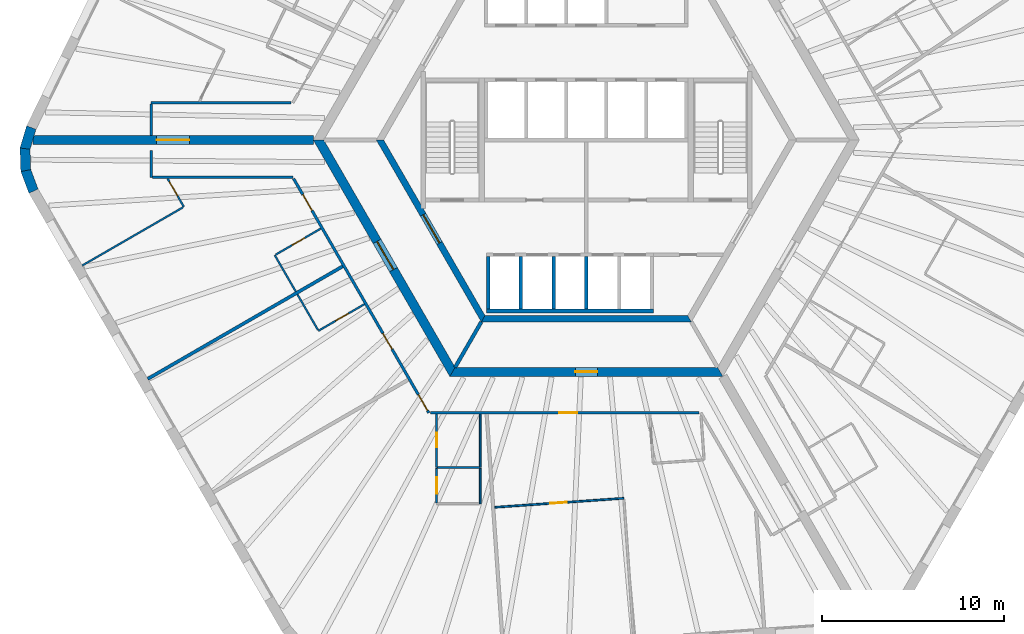
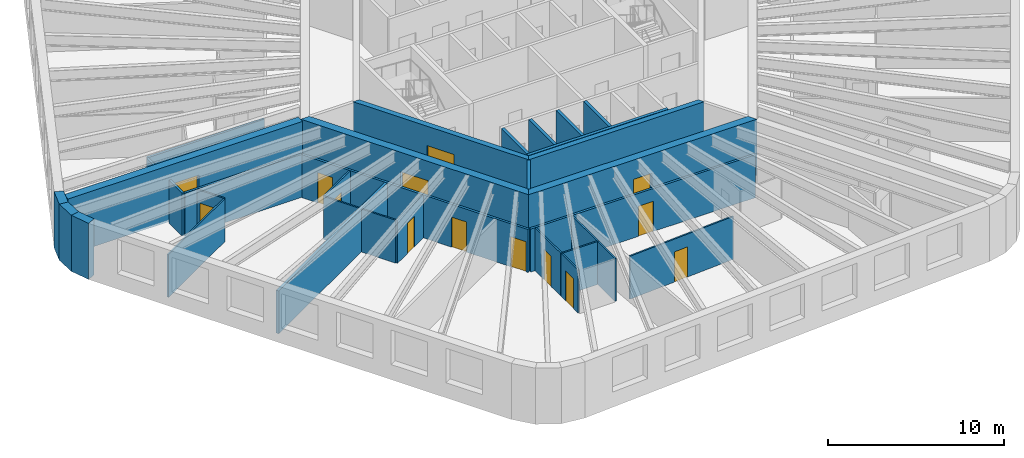
# One storey, part 3 of 10: 33 walls, 14 doors, 14 openings.
"""IFC4 building model written with IfcOpenShell, lengths in metres."""

from ifc_helpers import new_model, si_unit, direction, frame, frame_2d, origin, place, context, subcontext, project, spatial, polyline, rectangle, outline, extrude, material, layer, layer_set, type_object, element, fill, save


model = new_model("IFC4")

# Units and contexts
model_context = context("Model", 3, precision=1e-05, world=origin(), true_north=direction((0.0, 1.0)))
body_context = subcontext(model_context, "Body", "Model", "MODEL_VIEW")
ifc_project = project(units=[si_unit("LENGTHUNIT", "METRE"), si_unit("AREAUNIT", "SQUARE_METRE"), si_unit("VOLUMEUNIT", "CUBIC_METRE"), si_unit("PLANEANGLEUNIT", "RADIAN"), si_unit("MASSUNIT", "GRAM", prefix="KILO")], contexts=[model_context])

# Site, building, storey
site_placement = place(None, origin())
site = spatial("IfcSite", under=ifc_project, at=site_placement, CompositionType="ELEMENT")
building_placement = place(site_placement, origin())
building = spatial("IfcBuilding", under=site, at=building_placement, Name="Tarnside Tower", CompositionType="ELEMENT")
storey_placement = place(building_placement, frame((0.0, 0.0, 191.699951171875)))
storey = spatial("IfcBuildingStorey", under=building, at=storey_placement, Name="L45", CompositionType="ELEMENT", Elevation=191.699951171875)

# Wall
ifc_material_1 = material(Name="Gypsum board partition on steel studs", Category="steel")
ifc_layer_1 = layer(ifc_material_1, 0.10009765625)
ifc_layer_set_1 = layer_set([ifc_layer_1], Name="Bathroom wall 100")
wall_type_1 = type_object("IfcWallType", Name="Bathroom wall 100", PredefinedType="PARTITIONING", material=ifc_layer_set_1)
wall_1_placement = place(storey_placement, frame((-15.974609375, -8.331298828125, 0.0), z_axis=(0.0, 0.0, 1.0), x_axis=(-0.500015210774, 0.866016621662, 0.0)))
element("IfcWall", 1, at=wall_1_placement, inside=storey, type_object=wall_type_1, Name="Bathroom wall 14077", PredefinedType="PARTITIONING", context=body_context, shape_type="SweptSolid", body=[
    extrude(rectangle(XDim=2.31005859375, YDim=0.10009765625, at=frame_2d((1.155029296875, 0.0))), origin(), (0.0, 0.0, 1.0), 2.98779296875),
])

# Wall, opening, door
wall_2_placement = place(storey_placement, frame((-17.086181640625, -6.305908203125, 0.0), z_axis=(0.0, 0.0, 1.0), x_axis=(0.866018712932, 0.500011588718, 0.0)))
wall_2 = element("IfcWall", 2, at=wall_2_placement, inside=storey, type_object=wall_type_1, Name="Bathroom wall 14078", PredefinedType="PARTITIONING", context=body_context, shape_type="SweptSolid", body=[
    extrude(rectangle(XDim=2.875, YDim=0.10009765625, at=frame_2d((1.4375, 0.0))), origin(), (0.0, 0.0, 1.0), 2.98779296875),
])
opening_1_placement = place(wall_2_placement, frame((1.050048828125, 0.0, 0.0)))
opening_1 = element("IfcOpeningElement", 3, at=opening_1_placement, cuts=wall_2, Name="Opening D-B1", PredefinedType="OPENING", context=body_context, shape_type="SweptSolid", body=[
    extrude(rectangle(XDim=0.800048828125, YDim=2.10009765625, at=frame_2d((0.39990234375, 1.050048828125))), frame((0.0, 0.06005859375, 0.0), z_axis=(0.0, -1.0, 0.0), x_axis=(1.0, 0.0, 0.0)), (0.0, 0.0, 1.0), 0.1201171875),
])
ifc_material_2 = material(Name="Timber door leaf", Category="wood")
door_type_1 = type_object("IfcDoorType", Name="Bathroom door 800", OperationType="NOTDEFINED", PredefinedType="DOOR", material=ifc_material_2)
door_1_placement = place(opening_1_placement, origin())
door_1 = element("IfcDoor", 4, at=door_1_placement, inside=storey, type_object=door_type_1, Name="Bathroom door 14014", OperationType="SINGLE_SWING_RIGHT", OverallHeight=2.10009765625, OverallWidth=0.800048828125, PredefinedType="DOOR", context=body_context, shape_type="SweptSolid", body=[
    extrude(rectangle(XDim=0.800048828125, YDim=2.10009765625, at=frame_2d((0.39990234375, 1.050048828125))), frame((0.0, 0.02490234375, 0.0), z_axis=(0.0, -1.0, 0.0), x_axis=(1.0, 0.0, 0.0)), (0.0, 0.0, 1.0), 0.050048828125),
])
fill(opening_1, door_1)

wall_3_placement = place(storey_placement, frame((-12.1962890625, -9.025146484375, 0.0), z_axis=(0.0, 0.0, 1.0), x_axis=(-0.86601045545, -0.500025890382, 0.0)))
wall_3 = element("IfcWall", 5, at=wall_3_placement, inside=storey, type_object=wall_type_1, Name="Bathroom wall 14083", PredefinedType="PARTITIONING", context=body_context, shape_type="SweptSolid", body=[
    extrude(rectangle(XDim=2.925048828125, YDim=0.10009765625, at=frame_2d((1.46240234375, 0.0))), origin(), (0.0, 0.0, 1.0), 2.98779296875),
])
opening_2_placement = place(wall_3_placement, frame((1.02490234375, 0.0, 0.0)))
opening_2 = element("IfcOpeningElement", 6, at=opening_2_placement, cuts=wall_3, Name="Opening D-B1", PredefinedType="OPENING", context=body_context, shape_type="SweptSolid", body=[
    extrude(rectangle(XDim=0.800048828125, YDim=2.10009765625, at=frame_2d((0.39990234375, 1.050048828125))), frame((0.0, 0.06005859375, 0.0), z_axis=(0.0, -1.0, 0.0), x_axis=(1.0, 0.0, 0.0)), (0.0, 0.0, 1.0), 0.1201171875),
])
door_2_placement = place(opening_2_placement, origin())
door_2 = element("IfcDoor", 7, at=door_2_placement, inside=storey, type_object=door_type_1, Name="Bathroom door 14017", OperationType="SINGLE_SWING_RIGHT", OverallHeight=2.10009765625, OverallWidth=0.800048828125, PredefinedType="DOOR", context=body_context, shape_type="SweptSolid", body=[
    extrude(rectangle(XDim=0.800048828125, YDim=2.10009765625, at=frame_2d((0.39990234375, 1.050048828125))), frame((0.0, 0.02490234375, 0.0), z_axis=(0.0, -1.0, 0.0), x_axis=(1.0, 0.0, 0.0)), (0.0, 0.0, 1.0), 0.050048828125),
])
fill(opening_2, door_2)

# Wall
wall_4_placement = place(storey_placement, frame((-14.754638671875, -10.4443359375, 0.0), z_axis=(0.0, 0.0, 1.0), x_axis=(-0.4999967785, 0.866027263711, 0.0)))
element("IfcWall", 8, at=wall_4_placement, inside=storey, type_object=wall_type_1, Name="Bathroom wall 14084", PredefinedType="PARTITIONING", context=body_context, shape_type="SweptSolid", body=[
    extrude(rectangle(XDim=2.259765625, YDim=0.10009765625, at=frame_2d((1.1298828125, 0.0))), origin(), (0.0, 0.0, 1.0), 2.98779296875),
])

# Wall, opening, door
wall_5_placement = place(storey_placement, frame((-8.23486328125, -18.0, 0.0), z_axis=(0.0, 0.0, 1.0), x_axis=(0.0, 1.0, 0.0)))
wall_5 = element("IfcWall", 9, at=wall_5_placement, inside=storey, type_object=wall_type_1, Name="Bathroom wall 14086", PredefinedType="PARTITIONING", context=body_context, shape_type="SweptSolid", body=[
    extrude(rectangle(XDim=2.925048828125, YDim=0.10009765625, at=frame_2d((1.46240234375, 0.0))), origin(), (0.0, 0.0, 1.0), 2.98779296875),
])
opening_3_placement = place(wall_5_placement, frame((1.10009765625, 0.0, 0.0)))
opening_3 = element("IfcOpeningElement", 10, at=opening_3_placement, cuts=wall_5, Name="Opening D-B1", PredefinedType="OPENING", context=body_context, shape_type="SweptSolid", body=[
    extrude(rectangle(XDim=0.800048828125, YDim=2.10009765625, at=frame_2d((0.39990234375, 1.050048828125))), frame((0.0, 0.06005859375, 0.0), z_axis=(0.0, -1.0, 0.0), x_axis=(1.0, 0.0, 0.0)), (0.0, 0.0, 1.0), 0.1201171875),
])
door_3_placement = place(opening_3_placement, origin())
door_3 = element("IfcDoor", 11, at=door_3_placement, inside=storey, type_object=door_type_1, Name="Bathroom door 14019", OperationType="SINGLE_SWING_LEFT", OverallHeight=2.10009765625, OverallWidth=0.800048828125, PredefinedType="DOOR", context=body_context, shape_type="SweptSolid", body=[
    extrude(rectangle(XDim=0.800048828125, YDim=2.10009765625, at=frame_2d((0.39990234375, 1.050048828125))), frame((0.0, 0.02490234375, 0.0), z_axis=(0.0, -1.0, 0.0), x_axis=(1.0, 0.0, 0.0)), (0.0, 0.0, 1.0), 0.050048828125),
])
fill(opening_3, door_3)

# Walls
wall_6_placement = place(storey_placement, frame((-5.8349609375, -15.074951171875, 0.0), z_axis=(0.0, 0.0, 1.0), x_axis=(0.0, -1.0, 0.0)))
element("IfcWall", 12, at=wall_6_placement, inside=storey, type_object=wall_type_1, Name="Bathroom wall 14087", PredefinedType="PARTITIONING", context=body_context, shape_type="SweptSolid", body=[
    extrude(rectangle(XDim=2.925048828125, YDim=0.10009765625, at=frame_2d((1.46240234375, 0.0))), origin(), (0.0, 0.0, 1.0), 2.98779296875),
])
wall_7_placement = place(storey_placement, frame((-8.18505859375, -18.0, 0.0), z_axis=(0.0, 0.0, 1.0), x_axis=(1.0, 0.0, 0.0)))
element("IfcWall", 13, at=wall_7_placement, inside=storey, type_object=wall_type_1, Name="Bathroom wall 14093", PredefinedType="PARTITIONING", context=body_context, shape_type="SweptSolid", body=[
    extrude(rectangle(XDim=2.300048828125, YDim=0.10009765625, at=frame_2d((1.14990234375, 0.0))), origin(), (0.0, 0.0, 1.0), 2.98779296875),
])

# Wall, opening, door
ifc_material_3 = material(Name="Concrete C50/60", Category="concrete")
ifc_layer_2 = layer(ifc_material_3, 0.35009765625)
ifc_layer_set_2 = layer_set([ifc_layer_2], Name="Core block wall 350 C50/60")
wall_type_2 = type_object("IfcWallType", Name="Core block wall 350 C50/60", PredefinedType="SHEAR", material=ifc_layer_set_2)
wall_8_placement = place(storey_placement, frame((-11.344970703125, 0.0, -0.14990234375), z_axis=(0.0, 0.0, 1.0), x_axis=(0.499995046907, -0.866028263435, 0.0)))
wall_8 = element("IfcWall", 14, at=wall_8_placement, inside=storey, type_object=wall_type_2, Name="L45 core block wall face 3", PredefinedType="SHEAR", context=body_context, shape_type="SweptSolid", body=[
    extrude(outline(polyline([(-0.10107421875, -0.175048828125), (11.44580078125, -0.175048828125), (11.24365234375, 0.175048828125), (0.10107421875, 0.175048828125), (-0.10107421875, -0.175048828125)])), origin(), (0.0, 0.0, 1.0), 3.89990234375),
])
opening_4_placement = place(wall_8_placement, frame((4.74365234375, 0.0, 0.14990234375)))
opening_4 = element("IfcOpeningElement", 15, at=opening_4_placement, cuts=wall_8, Name="Opening CD-FFL", PredefinedType="OPENING", context=body_context, shape_type="SweptSolid", body=[
    extrude(rectangle(XDim=1.800048828125, YDim=2.39990234375, at=frame_2d((0.89990234375, 1.199951171875))), frame((0.0, 0.18505859375, 0.0), z_axis=(0.0, -1.0, 0.0), x_axis=(1.0, 0.0, 0.0)), (0.0, 0.0, 1.0), 0.3701171875),
])
ifc_material_4 = material(Name="Steel fire door", Category="steel")
door_type_2 = type_object("IfcDoorType", Name="Firefighting lobby double door FD60S 1800x2400", OperationType="NOTDEFINED", PredefinedType="DOOR", material=ifc_material_4)
door_4_placement = place(opening_4_placement, origin())
door_4 = element("IfcDoor", 16, at=door_4_placement, inside=storey, type_object=door_type_2, Name="L45 lobby block door P3", OperationType="DOUBLE_DOOR_SINGLE_SWING", OverallHeight=2.39990234375, OverallWidth=1.800048828125, PredefinedType="DOOR", context=body_context, shape_type="SweptSolid", body=[
    extrude(rectangle(XDim=1.800048828125, YDim=2.39990234375, at=frame_2d((0.89990234375, 1.199951171875))), frame((0.0, 0.02490234375, 0.0), z_axis=(0.0, -1.0, 0.0), x_axis=(1.0, 0.0, 0.0)), (0.0, 0.0, 1.0), 0.050048828125),
])
fill(opening_4, door_4)

# Wall
wall_9_placement = place(storey_placement, frame((-5.672607421875, -9.824951171875, -0.14990234375), z_axis=(0.0, 0.0, 1.0), x_axis=(1.0, 0.0, 0.0)))
element("IfcWall", 17, at=wall_9_placement, inside=storey, type_object=wall_type_2, Name="L45 core block wall face 4", PredefinedType="SHEAR", context=body_context, shape_type="SweptSolid", body=[
    extrude(outline(polyline([(-0.10107421875, -0.175048828125), (11.4462890625, -0.175048828125), (11.244140625, 0.175048828125), (0.10107421875, 0.175048828125), (-0.10107421875, -0.175048828125)])), origin(), (0.0, 0.0, 1.0), 3.89990234375),
])

# Wall, opening, door
ifc_material_5 = material(Name="Concrete C70/85", Category="concrete")
ifc_layer_3 = layer(ifc_material_5, 0.5)
ifc_layer_set_3 = layer_set([ifc_layer_3], Name="Core wall Z2 500 C70/85")
wall_type_3 = type_object("IfcWallType", Name="Core wall Z2 500 C70/85", PredefinedType="SHEAR", material=ifc_layer_set_3)
wall_10_placement = place(storey_placement, frame((-14.722412109375, 0.0, -0.14990234375), z_axis=(0.0, 0.0, 1.0), x_axis=(0.50000571537, -0.866022103989, 0.0)))
wall_10 = element("IfcWall", 18, at=wall_10_placement, inside=storey, type_object=wall_type_3, Name="L45 core wall face 3", PredefinedType="SHEAR", context=body_context, shape_type="SweptSolid", body=[
    extrude(outline(polyline([(-0.144287109375, -0.25), (14.86669921875, -0.25), (14.578125, 0.25), (0.144287109375, 0.25), (-0.144287109375, -0.25)])), origin(), (0.0, 0.0, 1.0), 3.89990234375),
])
opening_5_placement = place(wall_10_placement, frame((6.432373046875, 0.0, 0.14990234375)))
opening_5 = element("IfcOpeningElement", 19, at=opening_5_placement, cuts=wall_10, Name="Opening CD-FFL", PredefinedType="OPENING", context=body_context, shape_type="SweptSolid", body=[
    extrude(rectangle(XDim=1.800048828125, YDim=2.39990234375, at=frame_2d((0.89990234375, 1.199951171875))), frame((0.0, 0.260009765625, 0.0), z_axis=(0.0, -1.0, 0.0), x_axis=(1.0, 0.0, 0.0)), (0.0, 0.0, 1.0), 0.52001953125),
])
door_5_placement = place(opening_5_placement, origin())
door_5 = element("IfcDoor", 20, at=door_5_placement, inside=storey, type_object=door_type_2, Name="L45 core door P3", OperationType="DOUBLE_DOOR_SINGLE_SWING", OverallHeight=2.39990234375, OverallWidth=1.800048828125, PredefinedType="DOOR", context=body_context, shape_type="SweptSolid", body=[
    extrude(rectangle(XDim=1.800048828125, YDim=2.39990234375, at=frame_2d((0.89990234375, 1.199951171875))), frame((0.0, 0.02490234375, 0.0), z_axis=(0.0, -1.0, 0.0), x_axis=(1.0, 0.0, 0.0)), (0.0, 0.0, 1.0), 0.050048828125),
])
fill(opening_5, door_5)

wall_11_placement = place(storey_placement, frame((-7.361083984375, -12.75, -0.14990234375), z_axis=(0.0, 0.0, 1.0), x_axis=(1.0, 0.0, 0.0)))
wall_11 = element("IfcWall", 21, at=wall_11_placement, inside=storey, type_object=wall_type_3, Name="L45 core wall face 4", PredefinedType="SHEAR", context=body_context, shape_type="SweptSolid", body=[
    extrude(outline(polyline([(-0.144287109375, -0.25), (14.866455078125, -0.25), (14.577880859375, 0.25), (0.144287109375, 0.25), (-0.144287109375, -0.25)])), origin(), (0.0, 0.0, 1.0), 3.89990234375),
])
opening_6_placement = place(wall_11_placement, frame((6.76123046875, 0.0, 0.14990234375)))
opening_6 = element("IfcOpeningElement", 22, at=opening_6_placement, cuts=wall_11, Name="Opening CD-RSR", PredefinedType="OPENING", context=body_context, shape_type="SweptSolid", body=[
    extrude(rectangle(XDim=1.199951171875, YDim=2.39990234375, at=frame_2d((0.60009765625, 1.199951171875))), frame((0.0, 0.260009765625, 0.0), z_axis=(0.0, -1.0, 0.0), x_axis=(1.0, 0.0, 0.0)), (0.0, 0.0, 1.0), 0.52001953125),
])
door_type_3 = type_object("IfcDoorType", Name="Riser door FD60 1200x2400", OperationType="NOTDEFINED", PredefinedType="DOOR", material=ifc_material_4)
door_6_placement = place(opening_6_placement, origin())
door_6 = element("IfcDoor", 23, at=door_6_placement, inside=storey, type_object=door_type_3, Name="L45 core door S6", OperationType="SINGLE_SWING_LEFT", OverallHeight=2.39990234375, OverallWidth=1.199951171875, PredefinedType="DOOR", context=body_context, shape_type="SweptSolid", body=[
    extrude(rectangle(XDim=1.199951171875, YDim=2.39990234375, at=frame_2d((0.60009765625, 1.199951171875))), frame((0.0, 0.02490234375, 0.0), z_axis=(0.0, -1.0, 0.0), x_axis=(1.0, 0.0, 0.0)), (0.0, 0.0, 1.0), 0.050048828125),
])
fill(opening_6, door_6)

wall_12_placement = place(storey_placement, frame((-15.010986328125, 0.0, -0.14990234375), z_axis=(0.0, 0.0, 1.0), x_axis=(-1.0, 0.0, 0.0)))
wall_12 = element("IfcWall", 24, at=wall_12_placement, inside=storey, type_object=wall_type_3, Name="L45 spine wall 2", PredefinedType="SHEAR", context=body_context, shape_type="SweptSolid", body=[
    extrude(rectangle(XDim=15.423828125, YDim=0.5, at=frame_2d((7.7119140625, 0.0))), origin(), (0.0, 0.0, 1.0), 3.89990234375),
])
opening_7_placement = place(wall_12_placement, frame((6.811767578125, 0.0, 0.14990234375)))
opening_7 = element("IfcOpeningElement", 25, at=opening_7_placement, cuts=wall_12, Name="Opening CD-SPN", PredefinedType="OPENING", context=body_context, shape_type="SweptSolid", body=[
    extrude(rectangle(XDim=1.800048828125, YDim=2.39990234375, at=frame_2d((0.89990234375, 1.199951171875))), frame((0.0, 0.260009765625, 0.0), z_axis=(0.0, -1.0, 0.0), x_axis=(1.0, 0.0, 0.0)), (0.0, 0.0, 1.0), 0.52001953125),
])
door_type_4 = type_object("IfcDoorType", Name="Spine passage double door FD60 1800x2400", OperationType="NOTDEFINED", PredefinedType="DOOR", material=ifc_material_4)
door_7_placement = place(opening_7_placement, origin())
door_7 = element("IfcDoor", 26, at=door_7_placement, inside=storey, type_object=door_type_4, Name="L45 spine passage door 2", OperationType="DOUBLE_DOOR_SINGLE_SWING", OverallHeight=2.39990234375, OverallWidth=1.800048828125, PredefinedType="DOOR", context=body_context, shape_type="SweptSolid", body=[
    extrude(rectangle(XDim=1.800048828125, YDim=2.39990234375, at=frame_2d((0.89990234375, 1.199951171875))), frame((0.0, 0.02490234375, 0.0), z_axis=(0.0, -1.0, 0.0), x_axis=(1.0, 0.0, 0.0)), (0.0, 0.0, 1.0), 0.050048828125),
])
fill(opening_7, door_7)

# Walls
ifc_layer_4 = layer(ifc_material_1, 0.14990234375)
ifc_layer_set_4 = layer_set([ifc_layer_4], Name="Corridor wall 150 EI 60")
wall_type_4 = type_object("IfcWallType", Name="Corridor wall 150 EI 60", PredefinedType="PARTITIONING", material=ifc_layer_set_4)
wall_13_placement = place(storey_placement, frame((-16.2236328125, 2.050048828125, 0.0), z_axis=(0.0, 0.0, 1.0), x_axis=(-1.0, 0.0, 0.0)))
element("IfcWall", 27, at=wall_13_placement, inside=storey, type_object=wall_type_4, Name="Corridor wall 14015", PredefinedType="PARTITIONING", context=body_context, shape_type="SweptSolid", body=[
    extrude(rectangle(XDim=7.69921875, YDim=0.14990234375, at=frame_2d((3.849609375, 0.0))), origin(), (0.0, 0.0, 1.0), 2.98779296875),
])
wall_14_placement = place(storey_placement, frame((-23.9228515625, 1.97509765625, 0.0), z_axis=(0.0, 0.0, 1.0), x_axis=(0.0, -1.0, 0.0)))
element("IfcWall", 28, at=wall_14_placement, inside=storey, type_object=wall_type_4, Name="Corridor wall 14018", PredefinedType="PARTITIONING", context=body_context, shape_type="SweptSolid", body=[
    extrude(rectangle(XDim=1.72509765625, YDim=0.14990234375, at=frame_2d((0.862548828125, 0.0))), origin(), (0.0, 0.0, 1.0), 2.98779296875),
])
wall_15_placement = place(storey_placement, frame((-23.847900390625, -2.050048828125, 0.0), z_axis=(0.0, 0.0, 1.0), x_axis=(1.0, 0.0, 0.0)))
element("IfcWall", 29, at=wall_15_placement, inside=storey, type_object=wall_type_4, Name="Corridor wall 14019", PredefinedType="PARTITIONING", context=body_context, shape_type="SweptSolid", body=[
    extrude(rectangle(XDim=7.7109375, YDim=0.14990234375, at=frame_2d((3.85546875, 0.0))), origin(), (0.0, 0.0, 1.0), 2.98779296875),
])

# Wall, openings, doors
wall_16_placement = place(storey_placement, frame((-16.09375, -2.125, 0.0), z_axis=(0.0, 0.0, 1.0), x_axis=(0.500010545262, -0.866019315389, 0.0)))
wall_16 = element("IfcWall", 30, at=wall_16_placement, inside=storey, type_object=wall_type_4, Name="Corridor wall 14020", PredefinedType="PARTITIONING", context=body_context, shape_type="SweptSolid", body=[
    extrude(rectangle(XDim=14.866943359375, YDim=0.14990234375, at=frame_2d((7.43359375, 0.0))), origin(), (0.0, 0.0, 1.0), 2.98779296875),
])
opening_8_placement = place(wall_16_placement, frame((1.018798828125, 0.0, 0.0)))
opening_8 = element("IfcOpeningElement", 31, at=opening_8_placement, cuts=wall_16, Name="Opening D-E1", PredefinedType="OPENING", context=body_context, shape_type="SweptSolid", body=[
    extrude(rectangle(XDim=1.0, YDim=2.10009765625, at=frame_2d((0.5, 1.050048828125))), frame((0.0, 0.0849609375, 0.0), z_axis=(0.0, -1.0, 0.0), x_axis=(1.0, 0.0, 0.0)), (0.0, 0.0, 1.0), 0.169921875),
])
opening_9_placement = place(wall_16_placement, frame((9.824462890625, 0.0, 0.0)))
opening_9 = element("IfcOpeningElement", 32, at=opening_9_placement, cuts=wall_16, Name="Opening D-E1", PredefinedType="OPENING", context=body_context, shape_type="SweptSolid", body=[
    extrude(rectangle(XDim=1.0, YDim=2.10009765625, at=frame_2d((0.5, 1.050048828125))), frame((0.0, 0.0849609375, 0.0), z_axis=(0.0, -1.0, 0.0), x_axis=(1.0, 0.0, 0.0)), (0.0, 0.0, 1.0), 0.169921875),
])
opening_10_placement = place(wall_16_placement, frame((13.716796875, 0.0, 0.0)))
opening_10 = element("IfcOpeningElement", 33, at=opening_10_placement, cuts=wall_16, Name="Opening D-E1", PredefinedType="OPENING", context=body_context, shape_type="SweptSolid", body=[
    extrude(rectangle(XDim=1.0, YDim=2.10009765625, at=frame_2d((0.5, 1.050048828125))), frame((0.0, 0.0849609375, 0.0), z_axis=(0.0, -1.0, 0.0), x_axis=(1.0, 0.0, 0.0)), (0.0, 0.0, 1.0), 0.169921875),
])
door_type_5 = type_object("IfcDoorType", Name="Unit entrance door 1000 FD30S", OperationType="NOTDEFINED", PredefinedType="DOOR", material=ifc_material_2)
door_8_placement = place(opening_8_placement, origin())
door_8 = element("IfcDoor", 34, at=door_8_placement, inside=storey, type_object=door_type_5, Name="Unit door 14013", OperationType="SINGLE_SWING_RIGHT", OverallHeight=2.10009765625, OverallWidth=1.0, PredefinedType="DOOR", context=body_context, shape_type="SweptSolid", body=[
    extrude(rectangle(XDim=1.0, YDim=2.10009765625, at=frame_2d((0.5, 1.050048828125))), frame((0.0, 0.02490234375, 0.0), z_axis=(0.0, -1.0, 0.0), x_axis=(1.0, 0.0, 0.0)), (0.0, 0.0, 1.0), 0.050048828125),
])
fill(opening_8, door_8)
door_9_placement = place(opening_9_placement, origin())
door_9 = element("IfcDoor", 35, at=door_9_placement, inside=storey, type_object=door_type_5, Name="Unit door 14016", OperationType="SINGLE_SWING_RIGHT", OverallHeight=2.10009765625, OverallWidth=1.0, PredefinedType="DOOR", context=body_context, shape_type="SweptSolid", body=[
    extrude(rectangle(XDim=1.0, YDim=2.10009765625, at=frame_2d((0.5, 1.050048828125))), frame((0.0, 0.02490234375, 0.0), z_axis=(0.0, -1.0, 0.0), x_axis=(1.0, 0.0, 0.0)), (0.0, 0.0, 1.0), 0.050048828125),
])
fill(opening_9, door_9)
door_10_placement = place(opening_10_placement, origin())
door_10 = element("IfcDoor", 36, at=door_10_placement, inside=storey, type_object=door_type_5, Name="Unit door 14018", OperationType="SINGLE_SWING_LEFT", OverallHeight=2.10009765625, OverallWidth=1.0, PredefinedType="DOOR", context=body_context, shape_type="SweptSolid", body=[
    extrude(rectangle(XDim=1.0, YDim=2.10009765625, at=frame_2d((0.5, 1.050048828125))), frame((0.0, 0.02490234375, 0.0), z_axis=(0.0, -1.0, 0.0), x_axis=(1.0, 0.0, 0.0)), (0.0, 0.0, 1.0), 0.050048828125),
])
fill(opening_10, door_10)

# Wall
wall_17_placement = place(storey_placement, frame((-23.9228515625, -0.564208984375, 0.0), z_axis=(0.0, 0.0, 1.0), x_axis=(0.0, -1.0, 0.0)))
element("IfcWall", 37, at=wall_17_placement, inside=storey, type_object=wall_type_4, Name="Corridor wall 14022", PredefinedType="PARTITIONING", context=body_context, shape_type="SweptSolid", body=[
    extrude(rectangle(XDim=1.48583984375, YDim=0.14990234375, at=frame_2d((0.742919921875, 0.0))), origin(), (0.0, 0.0, 1.0), 2.98779296875),
])

# Wall, opening, door
wall_18_placement = place(storey_placement, frame((-8.57373046875, -15.0, 0.0), z_axis=(0.0, 0.0, 1.0), x_axis=(1.0, 0.0, 0.0)))
wall_18 = element("IfcWall", 38, at=wall_18_placement, inside=storey, type_object=wall_type_4, Name="Corridor wall 14027", PredefinedType="PARTITIONING", context=body_context, shape_type="SweptSolid", body=[
    extrude(rectangle(XDim=14.7802734375, YDim=0.14990234375, at=frame_2d((7.39013671875, 0.0))), origin(), (0.0, 0.0, 1.0), 2.98779296875),
])
opening_11_placement = place(wall_18_placement, frame((7.0810546875, 0.0, 0.0)))
opening_11 = element("IfcOpeningElement", 39, at=opening_11_placement, cuts=wall_18, Name="Opening D-E1", PredefinedType="OPENING", context=body_context, shape_type="SweptSolid", body=[
    extrude(rectangle(XDim=1.0, YDim=2.10009765625, at=frame_2d((0.5, 1.050048828125))), frame((0.0, 0.0849609375, 0.0), z_axis=(0.0, -1.0, 0.0), x_axis=(1.0, 0.0, 0.0)), (0.0, 0.0, 1.0), 0.169921875),
])
door_11_placement = place(opening_11_placement, origin())
door_11 = element("IfcDoor", 40, at=door_11_placement, inside=storey, type_object=door_type_5, Name="Unit door 14021", OperationType="SINGLE_SWING_RIGHT", OverallHeight=2.10009765625, OverallWidth=1.0, PredefinedType="DOOR", context=body_context, shape_type="SweptSolid", body=[
    extrude(rectangle(XDim=1.0, YDim=2.10009765625, at=frame_2d((0.5, 1.050048828125))), frame((0.0, 0.02490234375, 0.0), z_axis=(0.0, -1.0, 0.0), x_axis=(1.0, 0.0, 0.0)), (0.0, 0.0, 1.0), 0.050048828125),
])
fill(opening_11, door_11)

# Walls
ifc_layer_5 = layer(ifc_material_1, 0.179931640625)
ifc_layer_set_5 = layer_set([ifc_layer_5], Name="Demising wall 180 EI 60")
wall_type_5 = type_object("IfcWallType", Name="Demising wall 180 EI 60", PredefinedType="PARTITIONING", material=ifc_layer_set_5)
wall_19_placement = place(storey_placement, frame((-24.113525390625, -13.13427734375, 0.0), z_axis=(0.0, 0.0, 1.0), x_axis=(0.866024931941, 0.500000817256, 0.0)))
element("IfcWall", 41, at=wall_19_placement, inside=storey, type_object=wall_type_5, Name="Demising wall 14081", PredefinedType="PARTITIONING", context=body_context, shape_type="SweptSolid", body=[
    extrude(rectangle(XDim=12.375, YDim=0.179931640625, at=frame_2d((6.1875, 0.0))), origin(), (0.0, 0.0, 1.0), 2.98779296875),
])
ifc_material_6 = material(Name="Concrete C40/50", Category="concrete")
ifc_layer_6 = layer(ifc_material_6, 0.199951171875)
ifc_layer_set_6 = layer_set([ifc_layer_6], Name="Lift shaft wall 200 C40/50")
wall_type_6 = type_object("IfcWallType", Name="Lift shaft wall 200 C40/50", PredefinedType="SHEAR", material=ifc_layer_set_6)
wall_20_placement = place(storey_placement, frame((-5.5, -9.39990234375, -0.25), z_axis=(0.0, 0.0, 1.0), x_axis=(1.0, 0.0, 0.0)))
element("IfcWall", 42, at=wall_20_placement, inside=storey, type_object=wall_type_6, Name="L45 lift shaft back wall R4", PredefinedType="SHEAR", context=body_context, shape_type="SweptSolid", body=[
    extrude(rectangle(XDim=9.199951171875, YDim=0.199951171875, at=frame_2d((4.60009765625, 0.0))), origin(), (0.0, 0.0, 1.0), 3.900146484375),
])
for number, where, z_axis, x_axis, name in (
    (43, (-5.39990234375, -9.300048828125, -0.25), (0.0, 0.0, 1.0), (0.0, 1.0, 0.0), "L45 lift shaft partition R41"),
    (44, (-3.60009765625, -9.300048828125, -0.25), (0.0, 0.0, 1.0), (0.0, 1.0, 0.0), "L45 lift shaft partition R42"),
    (45, (-1.800048828125, -9.300048828125, -0.25), (0.0, 0.0, 1.0), (0.0, 1.0, 0.0), "L45 lift shaft partition R43"),
    (46, (0.0, -9.300048828125, -0.25), (0.0, 0.0, 1.0), (0.0, 1.0, 0.0), "L45 lift shaft partition R44"),
):
    element("IfcWall", number, at=place(storey_placement, frame(where, z_axis=z_axis, x_axis=x_axis)), inside=storey, type_object=wall_type_6, Name=name, PredefinedType="SHEAR", context=body_context, shape_type="SweptSolid", body=[
        extrude(rectangle(XDim=2.900146484375, YDim=0.199951171875, at=frame_2d((1.4501953125, 0.0))), origin(), (0.0, 0.0, 1.0), 3.900146484375),
    ])
wall_21_placement = place(storey_placement, frame((-5.7734375, -10.0, -0.14990234375), z_axis=(0.0, 0.0, 1.0), x_axis=(-0.499995765644, -0.866027848477, 0.0)))
element("IfcWall", 47, at=wall_21_placement, inside=storey, type_object=wall_type_6, Name="L45 core partition AR240", PredefinedType="SHEAR", context=body_context, shape_type="SweptSolid", body=[
    extrude(rectangle(XDim=2.88671875, YDim=0.199951171875, at=frame_2d((1.443359375, 0.0))), origin(), (0.0, 0.0, 1.0), 3.89990234375),
])

# Wall, opening, door
ifc_layer_7 = layer(ifc_material_1, 0.10009765625)
ifc_layer_set_7 = layer_set([ifc_layer_7], Name="Partition 100")
wall_type_7 = type_object("IfcWallType", Name="Partition 100", PredefinedType="PARTITIONING", material=ifc_layer_set_7)
wall_22_placement = place(storey_placement, frame((-23.021728515625, -2.125, 0.0), z_axis=(0.0, 0.0, 1.0), x_axis=(0.499927291608, -0.866067377925, 0.0)))
wall_22 = element("IfcWall", 48, at=wall_22_placement, inside=storey, type_object=wall_type_7, Name="Partition wall 14079", PredefinedType="PARTITIONING", context=body_context, shape_type="SweptSolid", body=[
    extrude(rectangle(XDim=1.788330078125, YDim=0.10009765625, at=frame_2d((0.89404296875, 0.0))), origin(), (0.0, 0.0, 1.0), 2.98779296875),
])
opening_12_placement = place(wall_22_placement, frame((0.199951171875, 0.0, 0.0)))
opening_12 = element("IfcOpeningElement", 49, at=opening_12_placement, cuts=wall_22, Name="Opening D-I1", PredefinedType="OPENING", context=body_context, shape_type="SweptSolid", body=[
    extrude(rectangle(XDim=0.89990234375, YDim=2.10009765625, at=frame_2d((0.449951171875, 1.050048828125))), frame((0.0, 0.06005859375, 0.0), z_axis=(0.0, -1.0, 0.0), x_axis=(1.0, 0.0, 0.0)), (0.0, 0.0, 1.0), 0.1201171875),
])
door_type_6 = type_object("IfcDoorType", Name="Internal door 900", OperationType="NOTDEFINED", PredefinedType="DOOR", material=ifc_material_2)
door_12_placement = place(opening_12_placement, origin())
door_12 = element("IfcDoor", 50, at=door_12_placement, inside=storey, type_object=door_type_6, Name="Internal door 14015", OperationType="SINGLE_SWING_RIGHT", OverallHeight=2.10009765625, OverallWidth=0.89990234375, PredefinedType="DOOR", context=body_context, shape_type="SweptSolid", body=[
    extrude(rectangle(XDim=0.89990234375, YDim=2.10009765625, at=frame_2d((0.449951171875, 1.050048828125))), frame((0.0, 0.02490234375, 0.0), z_axis=(0.0, -1.0, 0.0), x_axis=(1.0, 0.0, 0.0)), (0.0, 0.0, 1.0), 0.050048828125),
])
fill(opening_12, door_12)

# Walls
wall_23_placement = place(storey_placement, frame((-22.1708984375, -3.698974609375, 0.0), z_axis=(0.0, 0.0, 1.0), x_axis=(-0.866025499775, -0.499999833739, 0.0)))
element("IfcWall", 51, at=wall_23_placement, inside=storey, type_object=wall_type_7, Name="Partition wall 14080", PredefinedType="PARTITIONING", context=body_context, shape_type="SweptSolid", body=[
    extrude(rectangle(XDim=6.39990234375, YDim=0.10009765625, at=frame_2d((3.199951171875, 0.0))), origin(), (0.0, 0.0, 1.0), 2.98779296875),
])
wall_24_placement = place(storey_placement, frame((-5.8349609375, -18.050048828125, 0.0), z_axis=(0.0, 0.0, 1.0), x_axis=(0.0, -1.0, 0.0)))
element("IfcWall", 52, at=wall_24_placement, inside=storey, type_object=wall_type_7, Name="Partition wall 14088", PredefinedType="PARTITIONING", context=body_context, shape_type="SweptSolid", body=[
    extrude(rectangle(XDim=1.949951171875, YDim=0.10009765625, at=frame_2d((0.97509765625, 0.0))), origin(), (0.0, 0.0, 1.0), 2.98779296875),
])

# Wall, opening, door
wall_25_placement = place(storey_placement, frame((-8.23486328125, -19.949951171875, 0.0), z_axis=(0.0, 0.0, 1.0), x_axis=(0.0, 1.0, 0.0)))
wall_25 = element("IfcWall", 53, at=wall_25_placement, inside=storey, type_object=wall_type_7, Name="Partition wall 14090", PredefinedType="PARTITIONING", context=body_context, shape_type="SweptSolid", body=[
    extrude(rectangle(XDim=1.89990234375, YDim=0.10009765625, at=frame_2d((0.949951171875, 0.0))), origin(), (0.0, 0.0, 1.0), 2.98779296875),
])
opening_13_placement = place(wall_25_placement, frame((0.5, 0.0, 0.0)))
opening_13 = element("IfcOpeningElement", 54, at=opening_13_placement, cuts=wall_25, Name="Opening D-I1", PredefinedType="OPENING", context=body_context, shape_type="SweptSolid", body=[
    extrude(rectangle(XDim=0.89990234375, YDim=2.10009765625, at=frame_2d((0.449951171875, 1.050048828125))), frame((0.0, 0.06005859375, 0.0), z_axis=(0.0, -1.0, 0.0), x_axis=(1.0, 0.0, 0.0)), (0.0, 0.0, 1.0), 0.1201171875),
])
door_13_placement = place(opening_13_placement, origin())
door_13 = element("IfcDoor", 55, at=door_13_placement, inside=storey, type_object=door_type_6, Name="Internal door 14020", OperationType="SINGLE_SWING_LEFT", OverallHeight=2.10009765625, OverallWidth=0.89990234375, PredefinedType="DOOR", context=body_context, shape_type="SweptSolid", body=[
    extrude(rectangle(XDim=0.89990234375, YDim=2.10009765625, at=frame_2d((0.449951171875, 1.050048828125))), frame((0.0, 0.02490234375, 0.0), z_axis=(0.0, -1.0, 0.0), x_axis=(1.0, 0.0, 0.0)), (0.0, 0.0, 1.0), 0.050048828125),
])
fill(opening_13, door_13)

wall_26_placement = place(storey_placement, frame((-5.03173828125, -20.19189453125, 0.0), z_axis=(0.0, 0.0, 1.0), x_axis=(0.997562888251, 0.069773089251, 0.0)))
wall_26 = element("IfcWall", 56, at=wall_26_placement, inside=storey, type_object=wall_type_7, Name="Partition wall 14097", PredefinedType="PARTITIONING", context=body_context, shape_type="SweptSolid", body=[
    extrude(rectangle(XDim=7.110107421875, YDim=0.10009765625, at=frame_2d((3.55517578125, 0.0))), origin(), (0.0, 0.0, 1.0), 2.98779296875),
])
opening_14_placement = place(wall_26_placement, frame((3.06005859375, 0.0, 0.0)))
opening_14 = element("IfcOpeningElement", 57, at=opening_14_placement, cuts=wall_26, Name="Opening D-I1", PredefinedType="OPENING", context=body_context, shape_type="SweptSolid", body=[
    extrude(rectangle(XDim=0.89990234375, YDim=2.10009765625, at=frame_2d((0.449951171875, 1.050048828125))), frame((0.0, 0.06005859375, 0.0), z_axis=(0.0, -1.0, 0.0), x_axis=(1.0, 0.0, 0.0)), (0.0, 0.0, 1.0), 0.1201171875),
])
door_14_placement = place(opening_14_placement, origin())
door_14 = element("IfcDoor", 58, at=door_14_placement, inside=storey, type_object=door_type_6, Name="Internal door 14023", OperationType="SINGLE_SWING_RIGHT", OverallHeight=2.10009765625, OverallWidth=0.89990234375, PredefinedType="DOOR", context=body_context, shape_type="SweptSolid", body=[
    extrude(rectangle(XDim=0.89990234375, YDim=2.10009765625, at=frame_2d((0.449951171875, 1.050048828125))), frame((0.0, 0.02490234375, 0.0), z_axis=(0.0, -1.0, 0.0), x_axis=(1.0, 0.0, 0.0)), (0.0, 0.0, 1.0), 0.050048828125),
])
fill(opening_14, door_14)

# Walls
ifc_material_7 = material(Name="Facing brick", Category="masonry")
ifc_layer_8 = layer(ifc_material_7, 0.10205078125)
ifc_material_8 = material(Name="Concrete C60/75 precast", Category="concrete")
ifc_layer_9 = layer(ifc_material_8, 0.347900390625)
ifc_material_9 = material(Name="Mineral wool insulation")
ifc_layer_10 = layer(ifc_material_9, 0.10009765625)
ifc_layer_set_8 = layer_set([ifc_layer_8, ifc_layer_9, ifc_layer_10], Name="Tube wall 550 brick faced")
wall_type_8 = type_object("IfcWallType", Name="Tube wall 550 brick faced", PredefinedType="SOLIDWALL", material=ifc_layer_set_8)
wall_27_placement = place(storey_placement, frame((-30.51318359375, 0.684326171875, -0.14990234375), z_axis=(0.0, 0.0, 1.0), x_axis=(-0.286736058109, -0.958009620505, 0.0)))
element("IfcWall", 59, at=wall_27_placement, inside=storey, type_object=wall_type_8, Name="Tube wall L45 F2 chord 05", PredefinedType="SOLIDWALL", context=body_context, shape_type="SweptSolid", body=[
    extrude(outline(polyline([(-0.0224609375, -0.27490234375), (1.25341796875, -0.27490234375), (1.1630859375, 0.27490234375), (0.0224609375, 0.27490234375), (-0.0224609375, -0.27490234375)])), origin(), (0.0, 0.0, 1.0), 3.89990234375),
])
wall_28_placement = place(storey_placement, frame((-30.859619140625, -0.47314453125, -0.14990234375), z_axis=(0.0, 0.0, 1.0), x_axis=(0.03495638276, -0.999388838893, 0.0)))
element("IfcWall", 60, at=wall_28_placement, inside=storey, type_object=wall_type_8, Name="Tube wall L45 F2 chord 06", PredefinedType="SOLIDWALL", context=body_context, shape_type="SweptSolid", body=[
    extrude(outline(polyline([(-0.045166015625, -0.27490234375), (1.25341796875, -0.27490234375), (1.1630859375, 0.27490234375), (0.045166015625, 0.27490234375), (-0.045166015625, -0.27490234375)])), origin(), (0.0, 0.0, 1.0), 3.89990234375),
])
wall_29_placement = place(storey_placement, frame((-30.8173828125, -1.6806640625, -0.14990234375), z_axis=(0.0, 0.0, 1.0), x_axis=(0.352850303963, -0.935679786569, 0.0)))
element("IfcWall", 61, at=wall_29_placement, inside=storey, type_object=wall_type_8, Name="Tube wall L45 F2 chord 07", PredefinedType="SOLIDWALL", context=body_context, shape_type="SweptSolid", body=[
    extrude(outline(polyline([(-0.045166015625, -0.27490234375), (1.23046875, -0.27490234375), (1.185546875, 0.27490234375), (0.045166015625, 0.27490234375), (-0.045166015625, -0.27490234375)])), origin(), (0.0, 0.0, 1.0), 3.89990234375),
])

save(model, "model.ifc")
